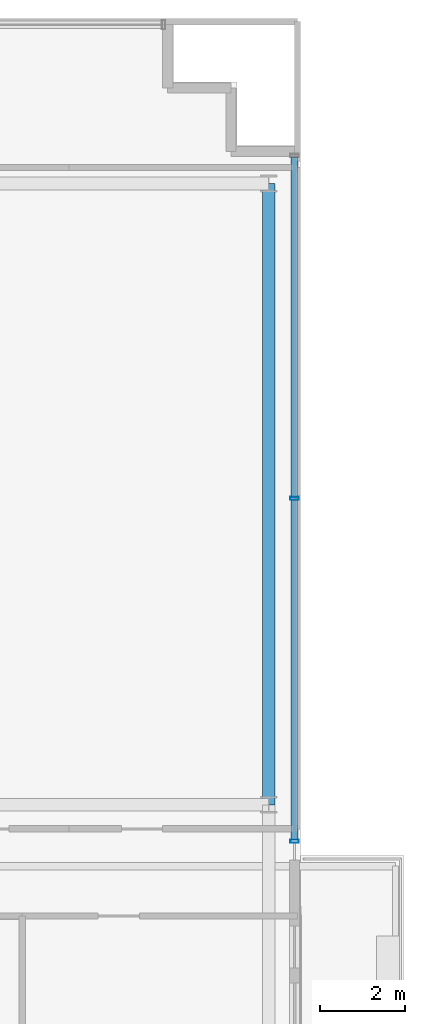
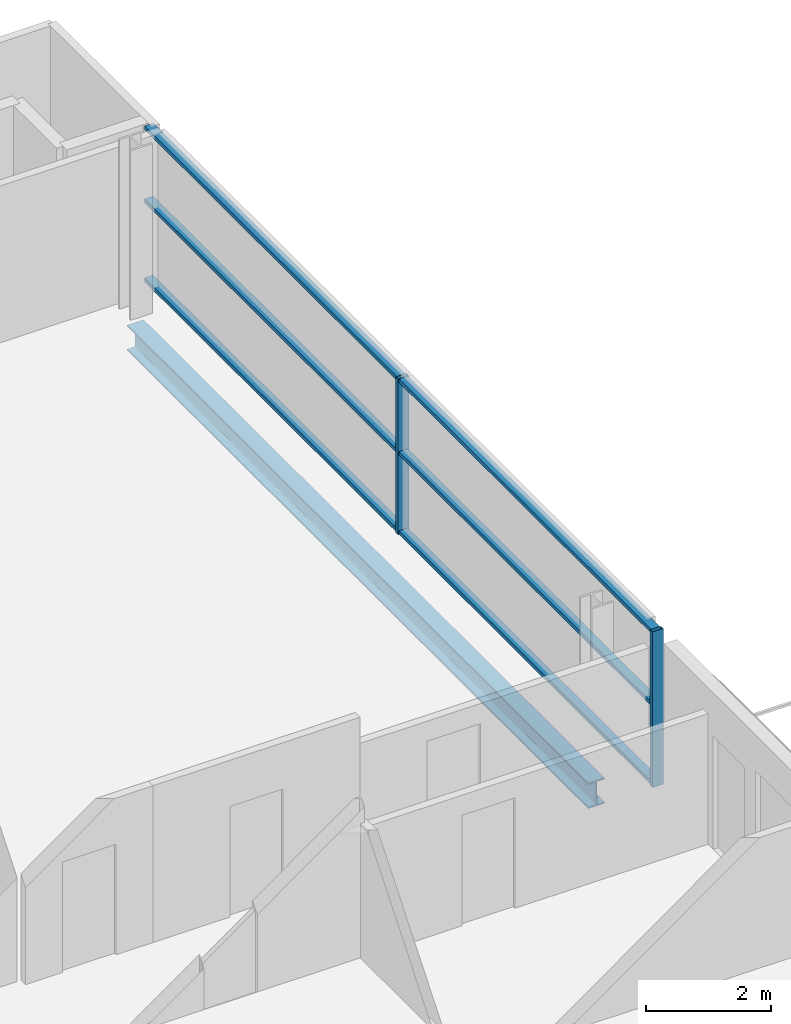
# One storey, part 9 of 22: 8 members, 1 beam, 1 element without a shape of its own.
"""IFC4 building model written with IfcOpenShell, lengths in metres."""

from ifc_helpers import new_model, si_unit, direction, frame, origin, origin_2d, place, context, subcontext, project, spatial, hollow_rectangle, i_section, extrude, source, transform, mapped, material, layer, layer_set, material_profile, profile_set, type_object, element, aggregate, save


model = new_model("IFC4")

# Units and contexts
model_context = context("Model", 3, precision=1e-05, world=origin(), true_north=direction((0.0, 1.0)))
body_context = subcontext(model_context, "Body", "Model", "MODEL_VIEW")
ifc_project = project(units=[si_unit("LENGTHUNIT", "METRE"), si_unit("AREAUNIT", "SQUARE_METRE"), si_unit("VOLUMEUNIT", "CUBIC_METRE"), si_unit("PLANEANGLEUNIT", "RADIAN"), si_unit("MASSUNIT", "GRAM", prefix="KILO")], contexts=[model_context])

# Site, building, storey
site_placement = place(None, origin())
site = spatial("IfcSite", under=ifc_project, at=site_placement, CompositionType="ELEMENT")
building_placement = place(site_placement, origin())
building = spatial("IfcBuilding", under=site, at=building_placement, Name="Zarnakvel Exchange Tower", CompositionType="ELEMENT")
storey_placement = place(building_placement, frame((0.0, 0.0, 195.699951171875)))
storey = spatial("IfcBuildingStorey", under=building, at=storey_placement, Name="L55", CompositionType="ELEMENT", Elevation=195.699951171875)

# Beam
ifc_material_1 = material(Name="Steel S355", Category="steel")
ifc_material_profile_1 = material_profile(ifc_material_1, i_section(OverallWidth=0.300048828125, OverallDepth=0.5, WebThickness=0.014404296875, FlangeThickness=0.028076171875, FilletRadius=0.027099609375, at=origin_2d()))
ifc_profile_set_1 = profile_set([ifc_material_profile_1], Name="Steel S355")
beam_type = type_object("IfcBeamType", Name="SP-02", PredefinedType="SPANDREL", material=ifc_profile_set_1)
beam_placement = place(storey_placement, frame((25.85009765625, -1.199951171875, -0.474853515625), z_axis=(0.0, 1.0, 0.0), x_axis=(-1.0, 0.0, 0.0)))
element("IfcBeam", 1, at=beam_placement, inside=storey, type_object=beam_type, Name="L55 Tower N-S Frame Beam", PredefinedType="SPANDREL", context=body_context, shape_type="SweptSolid", body=[
    extrude(i_section(OverallWidth=0.300048828125, OverallDepth=0.5, WebThickness=0.014404296875, FlangeThickness=0.028076171875, FilletRadius=0.027099609375, at=origin_2d()), origin(), (0.0, 0.0, 1.0), 14.699951171875),
])

# Curtain wall, members
ifc_material_2 = material(Name="Architectural Bronze Anodised Aluminium", Category="aluminium")
ifc_layer = layer(ifc_material_2, 0.199951171875)
ifc_layer_set = layer_set([ifc_layer], Name="Architectural Bronze Anodised Aluminium")
curtain_wall_type = type_object("IfcCurtainWallType", Name="CW-04", PredefinedType="NOTDEFINED", material=ifc_layer_set)
curtain_wall_placement = place(storey_placement, origin())
curtain_wall = element("IfcCurtainWall", 2, at=curtain_wall_placement, inside=storey, type_object=curtain_wall_type, Name="L55 Curtain Wall CW-L55-EN (CW-04)", PredefinedType="NOTDEFINED")
ifc_material_profile_2 = material_profile(ifc_material_2, hollow_rectangle(XDim=0.199951171875, YDim=0.074951171875, WallThickness=0.0048828125, at=origin_2d()))
ifc_profile_set_2 = profile_set([ifc_material_profile_2], Name="Architectural Bronze Anodised Aluminium")
member_type_1 = type_object("IfcMemberType", Name="CWM-04", PredefinedType="MULLION", material=ifc_profile_set_2)
shared_shape_1 = source(origin(), body_context, "Body", "SweptSolid", [
    extrude(hollow_rectangle(XDim=0.199951171875, YDim=0.074951171875, WallThickness=0.0048828125, at=origin_2d()), origin(), (0.0, 0.0, 1.0), 3.030029296875),
])
member_1_placement = place(storey_placement, frame((26.4599609375, -2.0625, 0.0), z_axis=(0.0, 0.0, 1.0), x_axis=(-1.0, 0.0, 0.0)))
member_1 = element("IfcMember", 3, at=member_1_placement, type_object=member_type_1, Name="CW-04 mullion 1", PredefinedType="MULLION", context=body_context, shape_type="MappedRepresentation", body=[
    mapped(shared_shape_1, transform((0.0, 0.0, 0.0), x_axis=(1.0, 0.0, 0.0), y_axis=(0.0, 1.0, 0.0), z_axis=(0.0, 0.0, 1.0), scale=1.0)),
])
member_2_placement = place(storey_placement, frame((26.4599609375, 6.050048828125, 0.0), z_axis=(0.0, 0.0, 1.0), x_axis=(-1.0, 0.0, 0.0)))
member_2 = element("IfcMember", 4, at=member_2_placement, type_object=member_type_1, Name="CW-04 mullion 2", PredefinedType="MULLION", context=body_context, shape_type="MappedRepresentation", body=[
    mapped(shared_shape_1, transform((0.0, 0.0, 0.0), x_axis=(1.0, 0.0, 0.0), y_axis=(0.0, 1.0, 0.0), z_axis=(0.0, 0.0, 1.0), scale=1.0)),
])
ifc_material_profile_3 = material_profile(ifc_material_2, hollow_rectangle(XDim=0.159912109375, YDim=0.074951171875, WallThickness=0.00390625, at=origin_2d()))
ifc_profile_set_3 = profile_set([ifc_material_profile_3], Name="Architectural Bronze Anodised Aluminium")
member_type_2 = type_object("IfcMemberType", Name="CWT-04", PredefinedType="USERDEFINED", material=ifc_profile_set_3)
shared_shape_2 = source(origin(), body_context, "Body", "SweptSolid", [
    extrude(hollow_rectangle(XDim=0.159912109375, YDim=0.074951171875, WallThickness=0.00390625, at=origin_2d()), origin(), (0.0, 0.0, 1.0), 8.037353515625),
])
member_3_placement = place(storey_placement, frame((26.4599609375, -2.02490234375, 0.03759765625), z_axis=(0.0, 1.0, 0.0), x_axis=(-1.0, 0.0, 0.0)))
member_3 = element("IfcMember", 5, at=member_3_placement, type_object=member_type_2, Name="CW-04 transom 1.1", ObjectType="TRANSOM", PredefinedType="USERDEFINED", context=body_context, shape_type="MappedRepresentation", body=[
    mapped(shared_shape_2, transform((0.0, 0.0, 0.0), x_axis=(1.0, 0.0, 0.0), y_axis=(0.0, 1.0, 0.0), z_axis=(0.0, 0.0, 1.0), scale=1.0)),
])
member_4_placement = place(storey_placement, frame((26.4599609375, -2.02490234375, 1.57568359375), z_axis=(0.0, 1.0, 0.0), x_axis=(-1.0, 0.0, 0.0)))
member_4 = element("IfcMember", 6, at=member_4_placement, type_object=member_type_2, Name="CW-04 transom 1.2", ObjectType="TRANSOM", PredefinedType="USERDEFINED", context=body_context, shape_type="MappedRepresentation", body=[
    mapped(shared_shape_2, transform((0.0, 0.0, 0.0), x_axis=(1.0, 0.0, 0.0), y_axis=(0.0, 1.0, 0.0), z_axis=(0.0, 0.0, 1.0), scale=1.0)),
])
member_5_placement = place(storey_placement, frame((26.4599609375, -2.02490234375, 2.992431640625), z_axis=(0.0, 1.0, 0.0), x_axis=(-1.0, 0.0, 0.0)))
member_5 = element("IfcMember", 7, at=member_5_placement, type_object=member_type_2, Name="CW-04 transom 1.3", ObjectType="TRANSOM", PredefinedType="USERDEFINED", context=body_context, shape_type="MappedRepresentation", body=[
    mapped(shared_shape_2, transform((0.0, 0.0, 0.0), x_axis=(1.0, 0.0, 0.0), y_axis=(0.0, 1.0, 0.0), z_axis=(0.0, 0.0, 1.0), scale=1.0)),
])
shared_shape_3 = source(origin(), body_context, "Body", "SweptSolid", [
    extrude(hollow_rectangle(XDim=0.159912109375, YDim=0.074951171875, WallThickness=0.00390625, at=origin_2d()), origin(), (0.0, 0.0, 1.0), 8.03759765625),
])
member_6_placement = place(storey_placement, frame((26.4599609375, 6.08740234375, 0.03759765625), z_axis=(0.0, 1.0, 0.0), x_axis=(-1.0, 0.0, 0.0)))
member_6 = element("IfcMember", 8, at=member_6_placement, type_object=member_type_2, Name="CW-04 transom 2.1", ObjectType="TRANSOM", PredefinedType="USERDEFINED", context=body_context, shape_type="MappedRepresentation", body=[
    mapped(shared_shape_3, transform((0.0, 0.0, 0.0), x_axis=(1.0, 0.0, 0.0), y_axis=(0.0, 1.0, 0.0), z_axis=(0.0, 0.0, 1.0), scale=1.0)),
])
member_7_placement = place(storey_placement, frame((26.4599609375, 6.08740234375, 1.57568359375), z_axis=(0.0, 1.0, 0.0), x_axis=(-1.0, 0.0, 0.0)))
member_7 = element("IfcMember", 9, at=member_7_placement, type_object=member_type_2, Name="CW-04 transom 2.2", ObjectType="TRANSOM", PredefinedType="USERDEFINED", context=body_context, shape_type="MappedRepresentation", body=[
    mapped(shared_shape_3, transform((0.0, 0.0, 0.0), x_axis=(1.0, 0.0, 0.0), y_axis=(0.0, 1.0, 0.0), z_axis=(0.0, 0.0, 1.0), scale=1.0)),
])
member_8_placement = place(storey_placement, frame((26.4599609375, 6.08740234375, 2.992431640625), z_axis=(0.0, 1.0, 0.0), x_axis=(-1.0, 0.0, 0.0)))
member_8 = element("IfcMember", 10, at=member_8_placement, type_object=member_type_2, Name="CW-04 transom 2.3", ObjectType="TRANSOM", PredefinedType="USERDEFINED", context=body_context, shape_type="MappedRepresentation", body=[
    mapped(shared_shape_3, transform((0.0, 0.0, 0.0), x_axis=(1.0, 0.0, 0.0), y_axis=(0.0, 1.0, 0.0), z_axis=(0.0, 0.0, 1.0), scale=1.0)),
])
aggregate(curtain_wall, [member_1, member_2, member_3, member_4, member_5, member_6, member_7, member_8])

save(model, "model.ifc")
